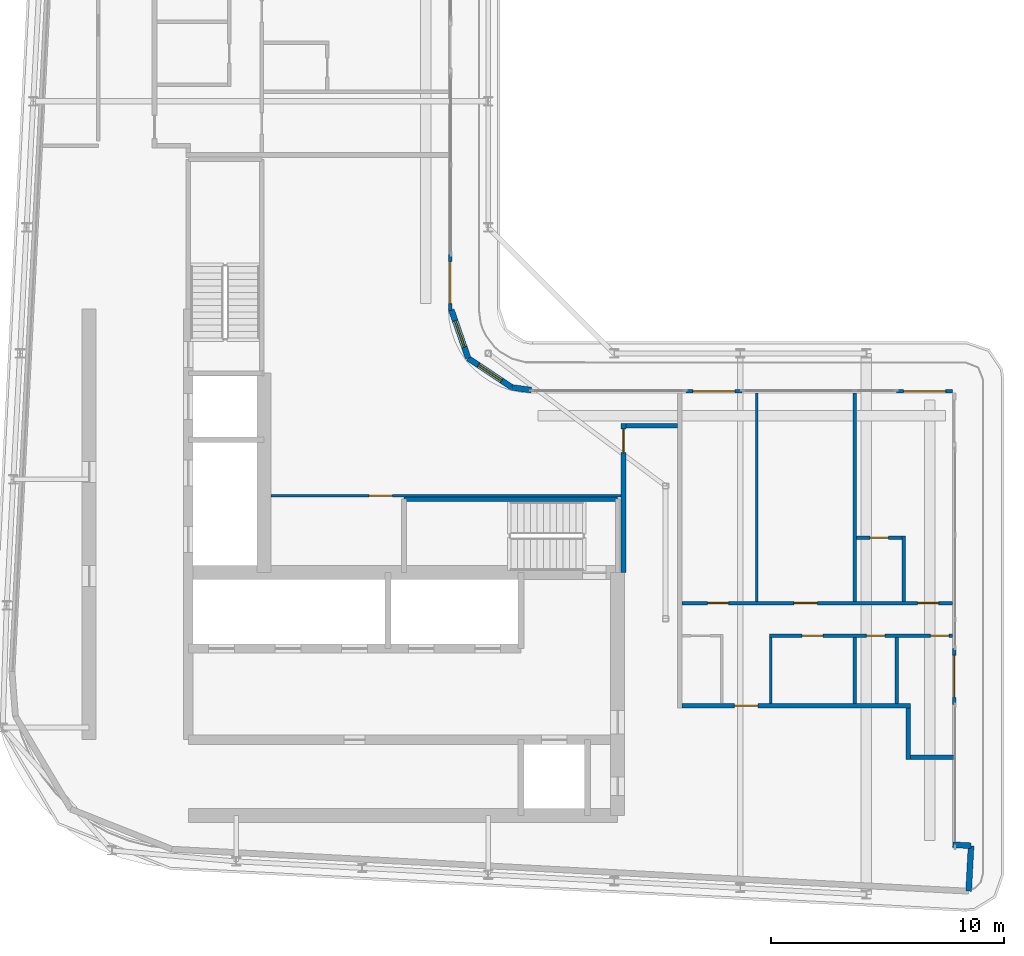
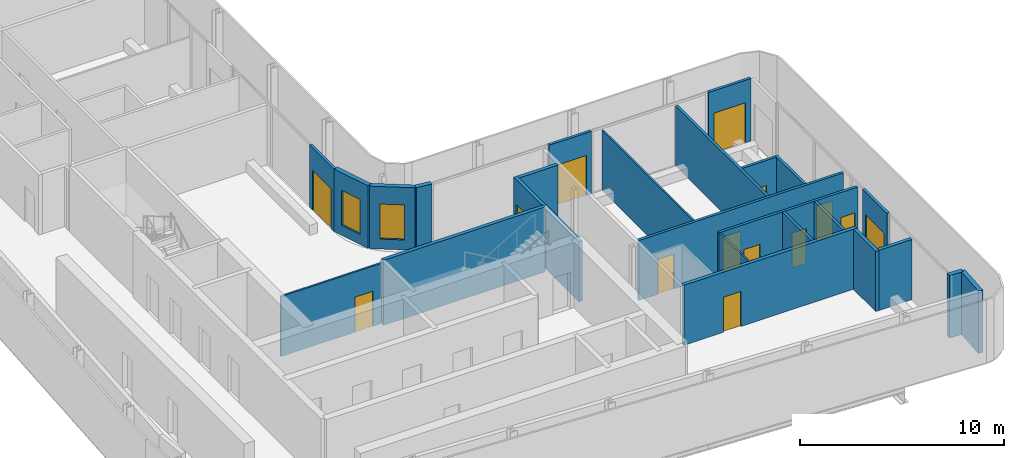
# One storey, part 12 of 21: 25 walls, 14 doors, 2 windows, 16 openings.
"""IFC4 building model written with IfcOpenShell, lengths in metres."""

from ifc_helpers import new_model, si_unit, direction, frame, frame_2d, origin, place, context, subcontext, project, spatial, rectangle, extrude, source, transform, mapped, material, layer, layer_set, type_object, element, fill, save


model = new_model("IFC4")

# Units and contexts
model_context = context("Model", 3, precision=1e-05, world=origin(), true_north=direction((0.0, 1.0)))
body_context = subcontext(model_context, "Body", "Model", "MODEL_VIEW")
ifc_project = project(units=[si_unit("LENGTHUNIT", "METRE"), si_unit("AREAUNIT", "SQUARE_METRE"), si_unit("VOLUMEUNIT", "CUBIC_METRE"), si_unit("PLANEANGLEUNIT", "RADIAN"), si_unit("MASSUNIT", "GRAM", prefix="KILO")], contexts=[model_context])

# Site, building, storey
site_placement = place(None, origin())
site = spatial("IfcSite", under=ifc_project, at=site_placement, CompositionType="ELEMENT")
building_placement = place(site_placement, origin())
building = spatial("IfcBuilding", under=site, at=building_placement, Name="Kheshtan School and Residences Tower", CompositionType="ELEMENT")
storey_placement = place(building_placement, frame((0.0, 0.0, 298.10009765625)))
storey = spatial("IfcBuildingStorey", under=building, at=storey_placement, Name="L70", CompositionType="ELEMENT", Elevation=298.10009765625)

# Wall, opening, door
ifc_material_1 = material(Name="Gypsum board on steel studs with fire boards", Category="steel")
ifc_layer_1 = layer(ifc_material_1, 0.199951171875)
ifc_layer_set_1 = layer_set([ifc_layer_1], Name="Corridor wall 200")
wall_type_1 = type_object("IfcWallType", Name="Corridor wall 200", PredefinedType="PARTITIONING", material=ifc_layer_set_1)
wall_1_placement = place(storey_placement, frame((53.39990234375, 36.198974609375, 0.0), z_axis=(0.0, 0.0, 1.0), x_axis=(0.0, 1.0, 0.0)))
wall_1 = element("IfcWall", 1, at=wall_1_placement, inside=storey, type_object=wall_type_1, Name="Partition L70-040", PredefinedType="PARTITIONING", context=body_context, shape_type="SweptSolid", body=[
    extrude(rectangle(XDim=6.401123046875, YDim=0.199951171875, at=frame_2d((3.20068359375, 0.0))), origin(), (0.0, 0.0, 1.0), 3.599853515625),
])
opening_1_placement = place(wall_1_placement, frame((5.15087890625, 0.0, 0.0)))
opening_1 = element("IfcOpeningElement", 2, at=opening_1_placement, cuts=wall_1, Name="Opening D70-037", PredefinedType="OPENING", context=body_context, shape_type="SweptSolid", body=[
    extrude(rectangle(XDim=1.0, YDim=2.10009765625, at=frame_2d((0.5, 1.050048828125))), frame((0.0, 0.10986328125, 0.0), z_axis=(0.0, -1.0, 0.0), x_axis=(1.0, 0.0, 0.0)), (0.0, 0.0, 1.0), 0.219970703125),
])
ifc_material_2 = material(Name="Steel-framed fire-resisting door leaf", Category="steel")
door_type_1 = type_object("IfcDoorType", Name="Fire door FD60 1000 x 2100", OperationType="SINGLE_SWING_LEFT", PredefinedType="DOOR", material=ifc_material_2)
shared_shape_1 = source(origin(), body_context, "Body", "SweptSolid", [
    extrude(rectangle(XDim=1.0, YDim=2.10009765625, at=frame_2d((0.5, 1.050048828125))), frame((0.0, 0.02490234375, 0.0), z_axis=(0.0, -1.0, 0.0), x_axis=(1.0, 0.0, 0.0)), (0.0, 0.0, 1.0), 0.050048828125),
])
door_1_placement = place(opening_1_placement, origin())
door_1 = element("IfcDoor", 3, at=door_1_placement, inside=storey, type_object=door_type_1, Name="Door D70-037", OperationType="SINGLE_SWING_LEFT", OverallHeight=2.10009765625, OverallWidth=1.0, PredefinedType="DOOR", context=body_context, shape_type="MappedRepresentation", body=[
    mapped(shared_shape_1, transform((0.0, 0.0, 0.0), x_axis=(1.0, 0.0, 0.0), y_axis=(0.0, 1.0, 0.0), z_axis=(0.0, 0.0, 1.0), scale=1.0)),
])
fill(opening_1, door_1)

# Wall
wall_2_placement = place(storey_placement, frame((53.5, 42.5, 0.0), z_axis=(0.0, 0.0, 1.0), x_axis=(1.0, 0.0, 0.0)))
element("IfcWall", 4, at=wall_2_placement, inside=storey, type_object=wall_type_1, Name="Partition L70-041", PredefinedType="PARTITIONING", context=body_context, shape_type="SweptSolid", body=[
    extrude(rectangle(XDim=2.199951171875, YDim=0.199951171875, at=frame_2d((1.10009765625, 0.0))), origin(), (0.0, 0.0, 1.0), 3.599853515625),
])

# Wall, opening, door
wall_3_placement = place(storey_placement, frame((55.89990234375, 30.5, 0.0), z_axis=(0.0, 0.0, 1.0), x_axis=(1.0, 0.0, 0.0)))
wall_3 = element("IfcWall", 5, at=wall_3_placement, inside=storey, type_object=wall_type_1, Name="Partition L70-043", PredefinedType="PARTITIONING", context=body_context, shape_type="SweptSolid", body=[
    extrude(rectangle(XDim=9.800048828125, YDim=0.199951171875, at=frame_2d((4.89990234375, 0.0))), origin(), (0.0, 0.0, 1.0), 3.599853515625),
])
opening_2_placement = place(wall_3_placement, frame((2.25, 0.0, 0.0)))
opening_2 = element("IfcOpeningElement", 6, at=opening_2_placement, cuts=wall_3, Name="Opening D70-004", PredefinedType="OPENING", context=body_context, shape_type="SweptSolid", body=[
    extrude(rectangle(XDim=1.0, YDim=2.10009765625, at=frame_2d((0.5, 1.050048828125))), frame((0.0, 0.10986328125, 0.0), z_axis=(0.0, -1.0, 0.0), x_axis=(1.0, 0.0, 0.0)), (0.0, 0.0, 1.0), 0.219970703125),
])
door_type_2 = type_object("IfcDoorType", Name="Fire door FD30S 1000 x 2100", OperationType="SINGLE_SWING_LEFT", PredefinedType="DOOR", material=ifc_material_2)
shared_shape_2 = source(origin(), body_context, "Body", "SweptSolid", [
    extrude(rectangle(XDim=1.0, YDim=2.10009765625, at=frame_2d((0.5, 1.050048828125))), frame((0.0, 0.02490234375, 0.0), z_axis=(0.0, -1.0, 0.0), x_axis=(1.0, 0.0, 0.0)), (0.0, 0.0, 1.0), 0.050048828125),
])
door_2_placement = place(opening_2_placement, origin())
door_2 = element("IfcDoor", 7, at=door_2_placement, inside=storey, type_object=door_type_2, Name="Door D70-004", OperationType="SINGLE_SWING_RIGHT", OverallHeight=2.10009765625, OverallWidth=1.0, PredefinedType="DOOR", context=body_context, shape_type="MappedRepresentation", body=[
    mapped(shared_shape_2, transform((0.0, 0.0, 0.0), x_axis=(1.0, 0.0, 0.0), y_axis=(0.0, 1.0, 0.0), z_axis=(0.0, 0.0, 1.0), scale=1.0)),
])
fill(opening_2, door_2)

# Walls
wall_4_placement = place(storey_placement, frame((65.60009765625, 28.199951171875, 0.0), z_axis=(0.0, 0.0, 1.0), x_axis=(0.0, 1.0, 0.0)))
element("IfcWall", 8, at=wall_4_placement, inside=storey, type_object=wall_type_1, Name="Partition L70-055", PredefinedType="PARTITIONING", context=body_context, shape_type="SweptSolid", body=[
    extrude(rectangle(XDim=2.199951171875, YDim=0.199951171875, at=frame_2d((1.10009765625, 0.0))), origin(), (0.0, 0.0, 1.0), 3.599853515625),
])
wall_5_placement = place(storey_placement, frame((65.699951171875, 28.300048828125, 0.0), z_axis=(0.0, 0.0, 1.0), x_axis=(1.0, 0.0, 0.0)))
element("IfcWall", 9, at=wall_5_placement, inside=storey, type_object=wall_type_1, Name="Partition L70-056", PredefinedType="PARTITIONING", context=body_context, shape_type="SweptSolid", body=[
    extrude(rectangle(XDim=1.8701171875, YDim=0.199951171875, at=frame_2d((0.93505859375, 0.0))), origin(), (0.0, 0.0, 1.0), 3.599853515625),
])

# Wall, opening, window
ifc_material_3 = material(Name="Concrete C40/50 with ceramic cladding and mineral wool insulation", Category="concrete")
ifc_layer_2 = layer(ifc_material_3, 0.25)
ifc_layer_set_2 = layer_set([ifc_layer_2], Name="External wall 250 ceramic clad")
wall_type_2 = type_object("IfcWallType", Name="External wall 250 ceramic clad", PredefinedType="SOLIDWALL", material=ifc_layer_set_2)
wall_6_placement = place(storey_placement, frame((46.01806640625, 47.470947265625, 0.0), z_axis=(0.0, 0.0, 1.0), x_axis=(0.328791208903, -0.944402637093, 0.0)))
wall_6 = element("IfcWall", 10, at=wall_6_placement, inside=storey, type_object=wall_type_2, Name="External wall L70 9", PredefinedType="SOLIDWALL", context=body_context, shape_type="SweptSolid", body=[
    extrude(rectangle(XDim=2.20458984375, YDim=0.25, at=frame_2d((1.102294921875, 0.0))), origin(), (0.0, 0.0, 1.0), 3.75),
])
opening_3_placement = place(wall_6_placement, frame((0.5029296875, 0.0, 0.60009765625)))
opening_3 = element("IfcOpeningElement", 11, at=opening_3_placement, cuts=wall_6, Name="Opening WN-E", PredefinedType="OPENING", context=body_context, shape_type="SweptSolid", body=[
    extrude(rectangle(XDim=1.199951171875, YDim=2.10009765625, at=frame_2d((0.60009765625, 1.050048828125))), frame((0.0, 0.135009765625, 0.0), z_axis=(0.0, -1.0, 0.0), x_axis=(1.0, 0.0, 0.0)), (0.0, 0.0, 1.0), 0.27001953125),
])
ifc_material_4 = material(Name="Clear low-e glass in thermally broken aluminium frame", Category="aluminium")
window_type = type_object("IfcWindowType", Name="Window WN-E", PartitioningType="SINGLE_PANEL", PredefinedType="WINDOW", material=ifc_material_4)
shared_shape_3 = source(origin(), body_context, "Body", "SweptSolid", [
    extrude(rectangle(XDim=1.199951171875, YDim=2.10009765625, at=frame_2d((0.60009765625, 1.050048828125))), frame((0.0, 0.030029296875, 0.0), z_axis=(0.0, -1.0, 0.0), x_axis=(1.0, 0.0, 0.0)), (0.0, 0.0, 1.0), 0.06005859375),
])
window_1_placement = place(opening_3_placement, origin())
window_1 = element("IfcWindow", 12, at=window_1_placement, inside=storey, type_object=window_type, Name="Window L70 9", OverallHeight=2.10009765625, OverallWidth=1.199951171875, PartitioningType="SINGLE_PANEL", PredefinedType="WINDOW", context=body_context, shape_type="MappedRepresentation", body=[
    mapped(shared_shape_3, transform((0.0, 0.0, 0.0), x_axis=(1.0, 0.0, 0.0), y_axis=(0.0, 1.0, 0.0), z_axis=(0.0, 0.0, 1.0), scale=1.0)),
])
fill(opening_3, window_1)

wall_7_placement = place(storey_placement, frame((46.742919921875, 45.388916015625, 0.0), z_axis=(0.0, 0.0, 1.0), x_axis=(0.831449265529, -0.555600682912, 0.0)))
wall_7 = element("IfcWall", 13, at=wall_7_placement, inside=storey, type_object=wall_type_2, Name="External wall L70 10", PredefinedType="SOLIDWALL", context=body_context, shape_type="SweptSolid", body=[
    extrude(rectangle(XDim=2.25146484375, YDim=0.25, at=frame_2d((1.125732421875, 0.0))), origin(), (0.0, 0.0, 1.0), 3.75),
])
opening_4_placement = place(wall_7_placement, frame((0.52490234375, 0.0, 0.60009765625)))
opening_4 = element("IfcOpeningElement", 14, at=opening_4_placement, cuts=wall_7, Name="Opening WN-E", PredefinedType="OPENING", context=body_context, shape_type="SweptSolid", body=[
    extrude(rectangle(XDim=1.199951171875, YDim=2.10009765625, at=frame_2d((0.60009765625, 1.050048828125))), frame((0.0, 0.135009765625, 0.0), z_axis=(0.0, -1.0, 0.0), x_axis=(1.0, 0.0, 0.0)), (0.0, 0.0, 1.0), 0.27001953125),
])
window_2_placement = place(opening_4_placement, origin())
window_2 = element("IfcWindow", 15, at=window_2_placement, inside=storey, type_object=window_type, Name="Window L70 10", OverallHeight=2.10009765625, OverallWidth=1.199951171875, PartitioningType="SINGLE_PANEL", PredefinedType="WINDOW", context=body_context, shape_type="MappedRepresentation", body=[
    mapped(shared_shape_3, transform((0.0, 0.0, 0.0), x_axis=(1.0, 0.0, 0.0), y_axis=(0.0, 1.0, 0.0), z_axis=(0.0, 0.0, 1.0), scale=1.0)),
])
fill(opening_4, window_2)

# Walls
wall_8_placement = place(storey_placement, frame((48.614990234375, 44.137939453125, 0.0), z_axis=(0.0, 0.0, 1.0), x_axis=(0.990741504246, -0.135761819977, 0.0)))
element("IfcWall", 16, at=wall_8_placement, inside=storey, type_object=wall_type_2, Name="External wall L70 11", PredefinedType="SOLIDWALL", context=body_context, shape_type="SweptSolid", body=[
    extrude(rectangle(XDim=0.83984375, YDim=0.25, at=frame_2d((0.419921875, 0.0))), origin(), (0.0, 0.0, 1.0), 3.75),
])
wall_9_placement = place(storey_placement, frame((67.507080078125, 24.5439453125, 0.0), z_axis=(0.0, 0.0, 1.0), x_axis=(0.998561284263, -0.053622398031, 0.0)))
element("IfcWall", 17, at=wall_9_placement, inside=storey, type_object=wall_type_2, Name="External wall L70 14", PredefinedType="SOLIDWALL", context=body_context, shape_type="SweptSolid", body=[
    extrude(rectangle(XDim=0.783203125, YDim=0.25, at=frame_2d((0.3916015625, 0.0))), origin(), (0.0, 0.0, 1.0), 3.75),
])
wall_10_placement = place(storey_placement, frame((68.2890625, 24.501953125, 0.0), z_axis=(0.0, 0.0, 1.0), x_axis=(-0.052841433274, -0.998602915542, 0.0)))
element("IfcWall", 18, at=wall_10_placement, inside=storey, type_object=wall_type_2, Name="External wall L70 15", PredefinedType="SOLIDWALL", context=body_context, shape_type="SweptSolid", body=[
    extrude(rectangle(XDim=1.94970703125, YDim=0.25, at=frame_2d((0.974853515625, 0.0))), origin(), (0.0, 0.0, 1.0), 3.75),
])

# Wall, opening, door
ifc_material_5 = material(Name="Aluminium frame wall with insulated infill", Category="aluminium")
ifc_layer_3 = layer(ifc_material_5, 0.14990234375)
ifc_layer_set_3 = layer_set([ifc_layer_3], Name="Glazing frame wall 150")
wall_type_3 = type_object("IfcWallType", Name="Glazing frame wall 150", PredefinedType="SOLIDWALL", material=ifc_layer_set_3)
wall_11_placement = place(storey_placement, frame((45.97509765625, 49.830078125, 0.0), z_axis=(0.0, 0.0, 1.0), x_axis=(0.0, -1.0, 0.0)))
wall_11 = element("IfcWall", 19, at=wall_11_placement, inside=storey, type_object=wall_type_3, Name="Balcony door wall L70 8.5", PredefinedType="SOLIDWALL", context=body_context, shape_type="SweptSolid", body=[
    extrude(rectangle(XDim=2.400146484375, YDim=0.14990234375, at=frame_2d((1.2001953125, 0.0))), origin(), (0.0, 0.0, 1.0), 3.75),
])
opening_5_placement = place(wall_11_placement, frame((0.300048828125, 0.0, 0.0)))
opening_5 = element("IfcOpeningElement", 20, at=opening_5_placement, cuts=wall_11, Name="Opening BD", PredefinedType="OPENING", context=body_context, shape_type="SweptSolid", body=[
    extrude(rectangle(XDim=1.800048828125, YDim=2.39990234375, at=frame_2d((0.89990234375, 1.199951171875))), frame((0.0, 0.0849609375, 0.0), z_axis=(0.0, -1.0, 0.0), x_axis=(1.0, 0.0, 0.0)), (0.0, 0.0, 1.0), 0.169921875),
])
door_type_3 = type_object("IfcDoorType", Name="Balcony sliding door", OperationType="SLIDING_TO_LEFT", PredefinedType="DOOR", material=ifc_material_4)
shared_shape_4 = source(origin(), body_context, "Body", "SweptSolid", [
    extrude(rectangle(XDim=1.800048828125, YDim=2.39990234375, at=frame_2d((0.89990234375, 1.199951171875))), frame((0.0, 0.02490234375, 0.0), z_axis=(0.0, -1.0, 0.0), x_axis=(1.0, 0.0, 0.0)), (0.0, 0.0, 1.0), 0.050048828125),
])
door_3_placement = place(opening_5_placement, origin())
door_3 = element("IfcDoor", 21, at=door_3_placement, inside=storey, type_object=door_type_3, Name="Balcony door L70 8.5", OperationType="SLIDING_TO_LEFT", OverallHeight=2.39990234375, OverallWidth=1.800048828125, PredefinedType="DOOR", context=body_context, shape_type="MappedRepresentation", body=[
    mapped(shared_shape_4, transform((0.0, 0.0, 0.0), x_axis=(1.0, 0.0, 0.0), y_axis=(0.0, 1.0, 0.0), z_axis=(0.0, 0.0, 1.0), scale=1.0)),
])
fill(opening_5, door_3)

wall_12_placement = place(storey_placement, frame((56.06494140625, 43.97509765625, 0.0), z_axis=(0.0, 0.0, 1.0), x_axis=(1.0, 0.0, 0.0)))
wall_12 = element("IfcWall", 22, at=wall_12_placement, inside=storey, type_object=wall_type_3, Name="Balcony door wall L70 12.1", PredefinedType="SOLIDWALL", context=body_context, shape_type="SweptSolid", body=[
    extrude(rectangle(XDim=2.400146484375, YDim=0.14990234375, at=frame_2d((1.2001953125, 0.0))), origin(), (0.0, 0.0, 1.0), 3.75),
])
opening_6_placement = place(wall_12_placement, frame((0.300048828125, 0.0, 0.0)))
opening_6 = element("IfcOpeningElement", 23, at=opening_6_placement, cuts=wall_12, Name="Opening BD", PredefinedType="OPENING", context=body_context, shape_type="SweptSolid", body=[
    extrude(rectangle(XDim=1.800048828125, YDim=2.39990234375, at=frame_2d((0.89990234375, 1.199951171875))), frame((0.0, 0.0849609375, 0.0), z_axis=(0.0, -1.0, 0.0), x_axis=(1.0, 0.0, 0.0)), (0.0, 0.0, 1.0), 0.169921875),
])
door_4_placement = place(opening_6_placement, origin())
door_4 = element("IfcDoor", 24, at=door_4_placement, inside=storey, type_object=door_type_3, Name="Balcony door L70 12.1", OperationType="SLIDING_TO_LEFT", OverallHeight=2.39990234375, OverallWidth=1.800048828125, PredefinedType="DOOR", context=body_context, shape_type="MappedRepresentation", body=[
    mapped(shared_shape_4, transform((0.0, 0.0, 0.0), x_axis=(1.0, 0.0, 0.0), y_axis=(0.0, 1.0, 0.0), z_axis=(0.0, 0.0, 1.0), scale=1.0)),
])
fill(opening_6, door_4)

wall_13_placement = place(storey_placement, frame((65.10009765625, 43.97509765625, 0.0), z_axis=(0.0, 0.0, 1.0), x_axis=(1.0, 0.0, 0.0)))
wall_13 = element("IfcWall", 25, at=wall_13_placement, inside=storey, type_object=wall_type_3, Name="Balcony door wall L70 12.2", PredefinedType="SOLIDWALL", context=body_context, shape_type="SweptSolid", body=[
    extrude(rectangle(XDim=2.39990234375, YDim=0.14990234375, at=frame_2d((1.199951171875, 0.0))), origin(), (0.0, 0.0, 1.0), 3.75),
])
opening_7_placement = place(wall_13_placement, frame((0.300048828125, 0.0, 0.0)))
opening_7 = element("IfcOpeningElement", 26, at=opening_7_placement, cuts=wall_13, Name="Opening BD", PredefinedType="OPENING", context=body_context, shape_type="SweptSolid", body=[
    extrude(rectangle(XDim=1.800048828125, YDim=2.39990234375, at=frame_2d((0.89990234375, 1.199951171875))), frame((0.0, 0.0849609375, 0.0), z_axis=(0.0, -1.0, 0.0), x_axis=(1.0, 0.0, 0.0)), (0.0, 0.0, 1.0), 0.169921875),
])
door_5_placement = place(opening_7_placement, origin())
door_5 = element("IfcDoor", 27, at=door_5_placement, inside=storey, type_object=door_type_3, Name="Balcony door L70 12.2", OperationType="SLIDING_TO_LEFT", OverallHeight=2.39990234375, OverallWidth=1.800048828125, PredefinedType="DOOR", context=body_context, shape_type="MappedRepresentation", body=[
    mapped(shared_shape_4, transform((0.0, 0.0, 0.0), x_axis=(1.0, 0.0, 0.0), y_axis=(0.0, 1.0, 0.0), z_axis=(0.0, 0.0, 1.0), scale=1.0)),
])
fill(opening_7, door_5)

wall_14_placement = place(storey_placement, frame((67.574951171875, 32.958984375, 0.0), z_axis=(0.0, 0.0, 1.0), x_axis=(0.0, -1.0, 0.0)))
wall_14 = element("IfcWall", 28, at=wall_14_placement, inside=storey, type_object=wall_type_3, Name="Balcony door wall L70 13.2", PredefinedType="SOLIDWALL", context=body_context, shape_type="SweptSolid", body=[
    extrude(rectangle(XDim=2.39990234375, YDim=0.14990234375, at=frame_2d((1.199951171875, 0.0))), origin(), (0.0, 0.0, 1.0), 3.75),
])
opening_8_placement = place(wall_14_placement, frame((0.300048828125, 0.0, 0.0)))
opening_8 = element("IfcOpeningElement", 29, at=opening_8_placement, cuts=wall_14, Name="Opening BD", PredefinedType="OPENING", context=body_context, shape_type="SweptSolid", body=[
    extrude(rectangle(XDim=1.800048828125, YDim=2.39990234375, at=frame_2d((0.89990234375, 1.199951171875))), frame((0.0, 0.0849609375, 0.0), z_axis=(0.0, -1.0, 0.0), x_axis=(1.0, 0.0, 0.0)), (0.0, 0.0, 1.0), 0.169921875),
])
door_6_placement = place(opening_8_placement, origin())
door_6 = element("IfcDoor", 30, at=door_6_placement, inside=storey, type_object=door_type_3, Name="Balcony door L70 13.2", OperationType="SLIDING_TO_LEFT", OverallHeight=2.39990234375, OverallWidth=1.800048828125, PredefinedType="DOOR", context=body_context, shape_type="MappedRepresentation", body=[
    mapped(shared_shape_4, transform((0.0, 0.0, 0.0), x_axis=(1.0, 0.0, 0.0), y_axis=(0.0, 1.0, 0.0), z_axis=(0.0, 0.0, 1.0), scale=1.0)),
])
fill(opening_8, door_6)

ifc_material_6 = material(Name="Gypsum board on steel studs", Category="steel")
ifc_layer_4 = layer(ifc_material_6, 0.10009765625)
ifc_layer_set_4 = layer_set([ifc_layer_4], Name="Gypsum partition 100")
wall_type_4 = type_object("IfcWallType", Name="Gypsum partition 100", PredefinedType="PARTITIONING", material=ifc_layer_set_4)
wall_15_placement = place(storey_placement, frame((38.299072265625, 39.5, 0.0), z_axis=(0.0, 0.0, 1.0), x_axis=(1.0, 0.0, 0.0)))
wall_15 = element("IfcWall", 31, at=wall_15_placement, inside=storey, type_object=wall_type_4, Name="Partition L70-037", PredefinedType="PARTITIONING", context=body_context, shape_type="SweptSolid", body=[
    extrude(rectangle(XDim=15.0009765625, YDim=0.10009765625, at=frame_2d((7.50048828125, 0.0))), origin(), (0.0, 0.0, 1.0), 3.599853515625),
])
opening_9_placement = place(wall_15_placement, frame((4.197021484375, 0.0, 0.0)))
opening_9 = element("IfcOpeningElement", 32, at=opening_9_placement, cuts=wall_15, Name="Opening D70-036", PredefinedType="OPENING", context=body_context, shape_type="SweptSolid", body=[
    extrude(rectangle(XDim=1.0, YDim=2.10009765625, at=frame_2d((0.5, 1.050048828125))), frame((0.0, 0.06005859375, 0.0), z_axis=(0.0, -1.0, 0.0), x_axis=(1.0, 0.0, 0.0)), (0.0, 0.0, 1.0), 0.1201171875),
])
ifc_material_7 = material(Name="Veneered timber door leaf", Category="wood")
door_type_4 = type_object("IfcDoorType", Name="Door 1000 x 2100", OperationType="SINGLE_SWING_LEFT", PredefinedType="DOOR", material=ifc_material_7)
shared_shape_5 = source(origin(), body_context, "Body", "SweptSolid", [
    extrude(rectangle(XDim=1.0, YDim=2.10009765625, at=frame_2d((0.5, 1.050048828125))), frame((0.0, 0.02490234375, 0.0), z_axis=(0.0, -1.0, 0.0), x_axis=(1.0, 0.0, 0.0)), (0.0, 0.0, 1.0), 0.050048828125),
])
door_7_placement = place(opening_9_placement, origin())
door_7 = element("IfcDoor", 33, at=door_7_placement, inside=storey, type_object=door_type_4, Name="Door D70-036", OperationType="SINGLE_SWING_LEFT", OverallHeight=2.10009765625, OverallWidth=1.0, PredefinedType="DOOR", context=body_context, shape_type="MappedRepresentation", body=[
    mapped(shared_shape_5, transform((0.0, 0.0, 0.0), x_axis=(1.0, 0.0, 0.0), y_axis=(0.0, 1.0, 0.0), z_axis=(0.0, 0.0, 1.0), scale=1.0)),
])
fill(opening_9, door_7)

# Walls
wall_16_placement = place(storey_placement, frame((59.10009765625, 34.97509765625, 0.0), z_axis=(0.0, 0.0, 1.0), x_axis=(0.0, 1.0, 0.0)))
element("IfcWall", 34, at=wall_16_placement, inside=storey, type_object=wall_type_4, Name="Partition L70-047", PredefinedType="PARTITIONING", context=body_context, shape_type="SweptSolid", body=[
    extrude(rectangle(XDim=8.9248046875, YDim=0.10009765625, at=frame_2d((4.46240234375, 0.0))), origin(), (0.0, 0.0, 1.0), 3.599853515625),
])
wall_17_placement = place(storey_placement, frame((59.699951171875, 30.60009765625, 0.0), z_axis=(0.0, 0.0, 1.0), x_axis=(0.0, 1.0, 0.0)))
element("IfcWall", 35, at=wall_17_placement, inside=storey, type_object=wall_type_4, Name="Partition L70-049", PredefinedType="PARTITIONING", context=body_context, shape_type="SweptSolid", body=[
    extrude(rectangle(XDim=2.824951171875, YDim=0.10009765625, at=frame_2d((1.41259765625, 0.0))), origin(), (0.0, 0.0, 1.0), 3.599853515625),
])
ifc_material_8 = material(Name="Concrete C40/50", Category="concrete")
ifc_layer_5 = layer(ifc_material_8, 0.199951171875)
ifc_layer_set_5 = layer_set([ifc_layer_5], Name="Stair enclosure wall 200 Concrete C40/50")
wall_type_5 = type_object("IfcWallType", Name="Stair enclosure wall 200 Concrete C40/50", PredefinedType="SHEAR", material=ifc_layer_set_5)
wall_18_placement = place(storey_placement, frame((43.989990234375, 39.35009765625, 0.0), z_axis=(0.0, 0.0, 1.0), x_axis=(1.0, 0.0, 0.0)))
element("IfcWall", 36, at=wall_18_placement, inside=storey, type_object=wall_type_5, Name="Stair enclosure wall ST1", PredefinedType="SHEAR", context=body_context, shape_type="SweptSolid", body=[
    extrude(rectangle(XDim=9.159912109375, YDim=0.199951171875, at=frame_2d((4.580078125, 0.0))), origin(), (0.0, 0.0, 1.0), 3.89990234375),
])

# Wall, openings, doors
ifc_material_9 = material(Name="Moisture-resistant gypsum board on steel studs", Category="steel")
ifc_layer_6 = layer(ifc_material_9, 0.14990234375)
ifc_layer_set_6 = layer_set([ifc_layer_6], Name="Wet-room partition 150")
wall_type_6 = type_object("IfcWallType", Name="Wet-room partition 150", PredefinedType="PARTITIONING", material=ifc_layer_set_6)
wall_19_placement = place(storey_placement, frame((55.89990234375, 34.89990234375, 0.0), z_axis=(0.0, 0.0, 1.0), x_axis=(1.0, 0.0, 0.0)))
wall_19 = element("IfcWall", 37, at=wall_19_placement, inside=storey, type_object=wall_type_6, Name="Partition L70-045", PredefinedType="PARTITIONING", context=body_context, shape_type="SweptSolid", body=[
    extrude(rectangle(XDim=11.60009765625, YDim=0.14990234375, at=frame_2d((5.800048828125, 0.0))), origin(), (0.0, 0.0, 1.0), 3.599853515625),
])
opening_10_placement = place(wall_19_placement, frame((1.10009765625, 0.0, 0.0)))
opening_10 = element("IfcOpeningElement", 38, at=opening_10_placement, cuts=wall_19, Name="Opening D70-002", PredefinedType="OPENING", context=body_context, shape_type="SweptSolid", body=[
    extrude(rectangle(XDim=0.89990234375, YDim=2.10009765625, at=frame_2d((0.449951171875, 1.050048828125))), frame((0.0, 0.0849609375, 0.0), z_axis=(0.0, -1.0, 0.0), x_axis=(1.0, 0.0, 0.0)), (0.0, 0.0, 1.0), 0.169921875),
])
opening_11_placement = place(wall_19_placement, frame((4.800048828125, 0.0, 0.0)))
opening_11 = element("IfcOpeningElement", 39, at=opening_11_placement, cuts=wall_19, Name="Opening D70-006", PredefinedType="OPENING", context=body_context, shape_type="SweptSolid", body=[
    extrude(rectangle(XDim=1.0, YDim=2.10009765625, at=frame_2d((0.5, 1.050048828125))), frame((0.0, 0.0849609375, 0.0), z_axis=(0.0, -1.0, 0.0), x_axis=(1.0, 0.0, 0.0)), (0.0, 0.0, 1.0), 0.169921875),
])
opening_12_placement = place(wall_19_placement, frame((10.10009765625, 0.0, 0.0)))
opening_12 = element("IfcOpeningElement", 40, at=opening_12_placement, cuts=wall_19, Name="Opening D70-007", PredefinedType="OPENING", context=body_context, shape_type="SweptSolid", body=[
    extrude(rectangle(XDim=0.89990234375, YDim=2.10009765625, at=frame_2d((0.449951171875, 1.050048828125))), frame((0.0, 0.0849609375, 0.0), z_axis=(0.0, -1.0, 0.0), x_axis=(1.0, 0.0, 0.0)), (0.0, 0.0, 1.0), 0.169921875),
])
door_8_placement = place(opening_11_placement, origin())
door_8 = element("IfcDoor", 41, at=door_8_placement, inside=storey, type_object=door_type_4, Name="Door D70-006", OperationType="SINGLE_SWING_LEFT", OverallHeight=2.10009765625, OverallWidth=1.0, PredefinedType="DOOR", context=body_context, shape_type="MappedRepresentation", body=[
    mapped(shared_shape_5, transform((0.0, 0.0, 0.0), x_axis=(1.0, 0.0, 0.0), y_axis=(0.0, 1.0, 0.0), z_axis=(0.0, 0.0, 1.0), scale=1.0)),
])
fill(opening_11, door_8)
door_type_5 = type_object("IfcDoorType", Name="Door 900 x 2100", OperationType="SINGLE_SWING_LEFT", PredefinedType="DOOR", material=ifc_material_7)
shared_shape_6 = source(origin(), body_context, "Body", "SweptSolid", [
    extrude(rectangle(XDim=0.89990234375, YDim=2.10009765625, at=frame_2d((0.449951171875, 1.050048828125))), frame((0.0, 0.02490234375, 0.0), z_axis=(0.0, -1.0, 0.0), x_axis=(1.0, 0.0, 0.0)), (0.0, 0.0, 1.0), 0.050048828125),
])
door_9_placement = place(opening_10_placement, origin())
door_9 = element("IfcDoor", 42, at=door_9_placement, inside=storey, type_object=door_type_5, Name="Door D70-002", OperationType="SINGLE_SWING_RIGHT", OverallHeight=2.10009765625, OverallWidth=0.89990234375, PredefinedType="DOOR", context=body_context, shape_type="MappedRepresentation", body=[
    mapped(shared_shape_6, transform((0.0, 0.0, 0.0), x_axis=(1.0, 0.0, 0.0), y_axis=(0.0, 1.0, 0.0), z_axis=(0.0, 0.0, 1.0), scale=1.0)),
])
fill(opening_10, door_9)
door_10_placement = place(opening_12_placement, origin())
door_10 = element("IfcDoor", 43, at=door_10_placement, inside=storey, type_object=door_type_5, Name="Door D70-007", OperationType="SINGLE_SWING_RIGHT", OverallHeight=2.10009765625, OverallWidth=0.89990234375, PredefinedType="DOOR", context=body_context, shape_type="MappedRepresentation", body=[
    mapped(shared_shape_6, transform((0.0, 0.0, 0.0), x_axis=(1.0, 0.0, 0.0), y_axis=(0.0, 1.0, 0.0), z_axis=(0.0, 0.0, 1.0), scale=1.0)),
])
fill(opening_12, door_10)

wall_20_placement = place(storey_placement, frame((59.64990234375, 33.5, 0.0), z_axis=(0.0, 0.0, 1.0), x_axis=(1.0, 0.0, 0.0)))
wall_20 = element("IfcWall", 44, at=wall_20_placement, inside=storey, type_object=wall_type_6, Name="Partition L70-048", PredefinedType="PARTITIONING", context=body_context, shape_type="SweptSolid", body=[
    extrude(rectangle(XDim=7.85009765625, YDim=0.14990234375, at=frame_2d((3.925048828125, 0.0))), origin(), (0.0, 0.0, 1.0), 3.599853515625),
])
opening_13_placement = place(wall_20_placement, frame((6.89990234375, 0.0, 0.0)))
opening_13 = element("IfcOpeningElement", 45, at=opening_13_placement, cuts=wall_20, Name="Opening D70-001", PredefinedType="OPENING", context=body_context, shape_type="SweptSolid", body=[
    extrude(rectangle(XDim=0.800048828125, YDim=2.10009765625, at=frame_2d((0.39990234375, 1.050048828125))), frame((0.0, 0.0849609375, 0.0), z_axis=(0.0, -1.0, 0.0), x_axis=(1.0, 0.0, 0.0)), (0.0, 0.0, 1.0), 0.169921875),
])
opening_14_placement = place(wall_20_placement, frame((1.39990234375, 0.0, 0.0)))
opening_14 = element("IfcOpeningElement", 46, at=opening_14_placement, cuts=wall_20, Name="Opening D70-005", PredefinedType="OPENING", context=body_context, shape_type="SweptSolid", body=[
    extrude(rectangle(XDim=0.89990234375, YDim=2.10009765625, at=frame_2d((0.449951171875, 1.050048828125))), frame((0.0, 0.0849609375, 0.0), z_axis=(0.0, -1.0, 0.0), x_axis=(1.0, 0.0, 0.0)), (0.0, 0.0, 1.0), 0.169921875),
])
opening_15_placement = place(wall_20_placement, frame((4.14990234375, 0.0, 0.0)))
opening_15 = element("IfcOpeningElement", 47, at=opening_15_placement, cuts=wall_20, Name="Opening D70-009", PredefinedType="OPENING", context=body_context, shape_type="SweptSolid", body=[
    extrude(rectangle(XDim=0.800048828125, YDim=2.10009765625, at=frame_2d((0.39990234375, 1.050048828125))), frame((0.0, 0.0849609375, 0.0), z_axis=(0.0, -1.0, 0.0), x_axis=(1.0, 0.0, 0.0)), (0.0, 0.0, 1.0), 0.169921875),
])
door_type_6 = type_object("IfcDoorType", Name="Door 800 x 2100", OperationType="SINGLE_SWING_LEFT", PredefinedType="DOOR", material=ifc_material_7)
shared_shape_7 = source(origin(), body_context, "Body", "SweptSolid", [
    extrude(rectangle(XDim=0.800048828125, YDim=2.10009765625, at=frame_2d((0.39990234375, 1.050048828125))), frame((0.0, 0.02490234375, 0.0), z_axis=(0.0, -1.0, 0.0), x_axis=(1.0, 0.0, 0.0)), (0.0, 0.0, 1.0), 0.050048828125),
])
door_11_placement = place(opening_13_placement, origin())
door_11 = element("IfcDoor", 48, at=door_11_placement, inside=storey, type_object=door_type_6, Name="Door D70-001", OperationType="SINGLE_SWING_RIGHT", OverallHeight=2.10009765625, OverallWidth=0.800048828125, PredefinedType="DOOR", context=body_context, shape_type="MappedRepresentation", body=[
    mapped(shared_shape_7, transform((0.0, 0.0, 0.0), x_axis=(1.0, 0.0, 0.0), y_axis=(0.0, 1.0, 0.0), z_axis=(0.0, 0.0, 1.0), scale=1.0)),
])
fill(opening_13, door_11)
door_12_placement = place(opening_15_placement, origin())
door_12 = element("IfcDoor", 49, at=door_12_placement, inside=storey, type_object=door_type_6, Name="Door D70-009", OperationType="SINGLE_SWING_LEFT", OverallHeight=2.10009765625, OverallWidth=0.800048828125, PredefinedType="DOOR", context=body_context, shape_type="MappedRepresentation", body=[
    mapped(shared_shape_7, transform((0.0, 0.0, 0.0), x_axis=(1.0, 0.0, 0.0), y_axis=(0.0, 1.0, 0.0), z_axis=(0.0, 0.0, 1.0), scale=1.0)),
])
fill(opening_15, door_12)
door_13_placement = place(opening_14_placement, origin())
door_13 = element("IfcDoor", 50, at=door_13_placement, inside=storey, type_object=door_type_5, Name="Door D70-005", OperationType="SINGLE_SWING_LEFT", OverallHeight=2.10009765625, OverallWidth=0.89990234375, PredefinedType="DOOR", context=body_context, shape_type="MappedRepresentation", body=[
    mapped(shared_shape_6, transform((0.0, 0.0, 0.0), x_axis=(1.0, 0.0, 0.0), y_axis=(0.0, 1.0, 0.0), z_axis=(0.0, 0.0, 1.0), scale=1.0)),
])
fill(opening_14, door_13)

# Walls
wall_21_placement = place(storey_placement, frame((63.300048828125, 30.60009765625, 0.0), z_axis=(0.0, 0.0, 1.0), x_axis=(0.0, 1.0, 0.0)))
element("IfcWall", 51, at=wall_21_placement, inside=storey, type_object=wall_type_6, Name="Partition L70-050", PredefinedType="PARTITIONING", context=body_context, shape_type="SweptSolid", body=[
    extrude(rectangle(XDim=2.824951171875, YDim=0.14990234375, at=frame_2d((1.41259765625, 0.0))), origin(), (0.0, 0.0, 1.0), 3.599853515625),
])
wall_22_placement = place(storey_placement, frame((63.300048828125, 34.97509765625, 0.0), z_axis=(0.0, 0.0, 1.0), x_axis=(0.0, 1.0, 0.0)))
element("IfcWall", 52, at=wall_22_placement, inside=storey, type_object=wall_type_6, Name="Partition L70-051", PredefinedType="PARTITIONING", context=body_context, shape_type="SweptSolid", body=[
    extrude(rectangle(XDim=8.9248046875, YDim=0.14990234375, at=frame_2d((4.46240234375, 0.0))), origin(), (0.0, 0.0, 1.0), 3.599853515625),
])

# Wall, opening, door
wall_23_placement = place(storey_placement, frame((63.375, 37.699951171875, 0.0), z_axis=(0.0, 0.0, 1.0), x_axis=(1.0, 0.0, 0.0)))
wall_23 = element("IfcWall", 53, at=wall_23_placement, inside=storey, type_object=wall_type_6, Name="Partition L70-052", PredefinedType="PARTITIONING", context=body_context, shape_type="SweptSolid", body=[
    extrude(rectangle(XDim=1.949951171875, YDim=0.14990234375, at=frame_2d((0.97509765625, 0.0))), origin(), (0.0, 0.0, 1.0), 3.599853515625),
])
opening_16_placement = place(wall_23_placement, frame((0.574951171875, 0.0, 0.0)))
opening_16 = element("IfcOpeningElement", 54, at=opening_16_placement, cuts=wall_23, Name="Opening D70-003", PredefinedType="OPENING", context=body_context, shape_type="SweptSolid", body=[
    extrude(rectangle(XDim=0.800048828125, YDim=2.10009765625, at=frame_2d((0.39990234375, 1.050048828125))), frame((0.0, 0.0849609375, 0.0), z_axis=(0.0, -1.0, 0.0), x_axis=(1.0, 0.0, 0.0)), (0.0, 0.0, 1.0), 0.169921875),
])
door_14_placement = place(opening_16_placement, origin())
door_14 = element("IfcDoor", 55, at=door_14_placement, inside=storey, type_object=door_type_6, Name="Door D70-003", OperationType="SINGLE_SWING_LEFT", OverallHeight=2.10009765625, OverallWidth=0.800048828125, PredefinedType="DOOR", context=body_context, shape_type="MappedRepresentation", body=[
    mapped(shared_shape_7, transform((0.0, 0.0, 0.0), x_axis=(1.0, 0.0, 0.0), y_axis=(0.0, 1.0, 0.0), z_axis=(0.0, 0.0, 1.0), scale=1.0)),
])
fill(opening_16, door_14)

# Walls
wall_24_placement = place(storey_placement, frame((65.10009765625, 30.60009765625, 0.0), z_axis=(0.0, 0.0, 1.0), x_axis=(0.0, 1.0, 0.0)))
element("IfcWall", 56, at=wall_24_placement, inside=storey, type_object=wall_type_6, Name="Partition L70-053", PredefinedType="PARTITIONING", context=body_context, shape_type="SweptSolid", body=[
    extrude(rectangle(XDim=2.824951171875, YDim=0.14990234375, at=frame_2d((1.41259765625, 0.0))), origin(), (0.0, 0.0, 1.0), 3.599853515625),
])
wall_25_placement = place(storey_placement, frame((65.39990234375, 34.97509765625, 0.0), z_axis=(0.0, 0.0, 1.0), x_axis=(0.0, 1.0, 0.0)))
element("IfcWall", 57, at=wall_25_placement, inside=storey, type_object=wall_type_6, Name="Partition L70-054", PredefinedType="PARTITIONING", context=body_context, shape_type="SweptSolid", body=[
    extrude(rectangle(XDim=2.7998046875, YDim=0.14990234375, at=frame_2d((1.39990234375, 0.0))), origin(), (0.0, 0.0, 1.0), 3.599853515625),
])

save(model, "model.ifc")
